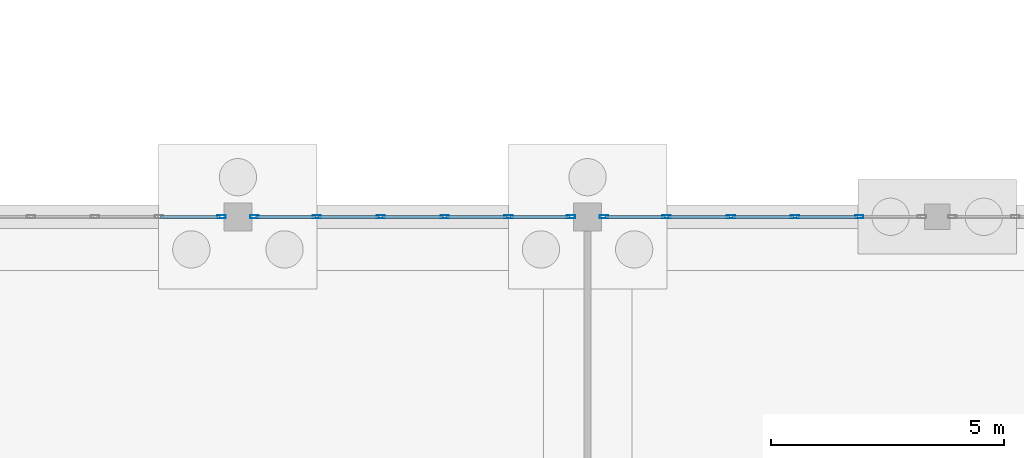
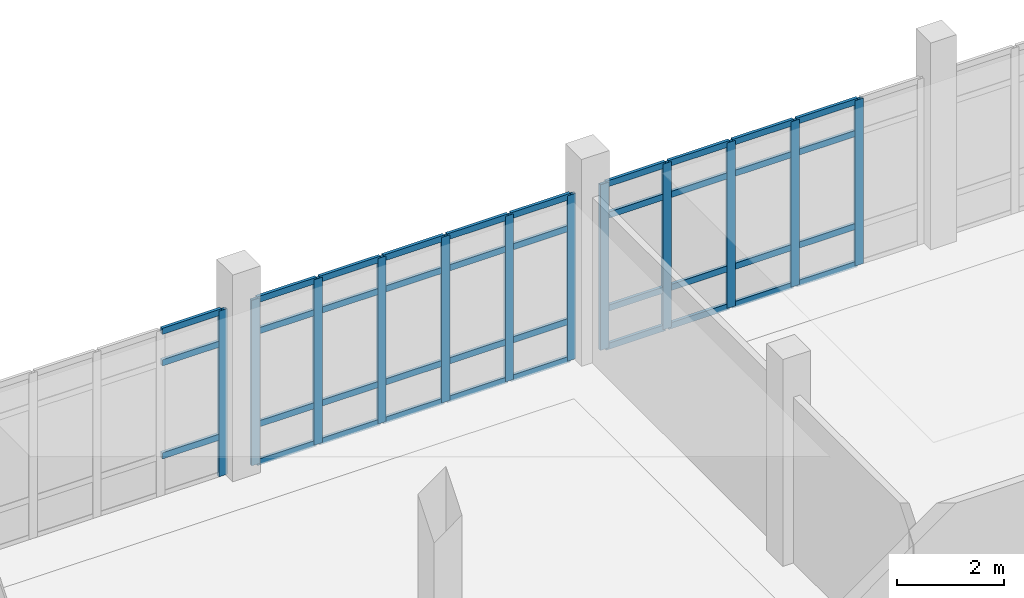
# One storey, part 57 of 173: 51 members, 3 elements without a shape of their own.
"""IFC4 building model written with IfcOpenShell, lengths in metres."""

from ifc_helpers import new_model, si_unit, direction, frame, origin, origin_2d, place, context, subcontext, project, spatial, hollow_rectangle, extrude, material, layer, layer_set, material_profile, profile_set, type_object, element, aggregate, save


model = new_model("IFC4")

# Units and contexts
model_context = context("Model", 3, precision=1e-05, world=origin(), true_north=direction((0.0, 1.0)))
body_context = subcontext(model_context, "Body", "Model", "MODEL_VIEW")
ifc_project = project(units=[si_unit("LENGTHUNIT", "METRE"), si_unit("AREAUNIT", "SQUARE_METRE"), si_unit("VOLUMEUNIT", "CUBIC_METRE"), si_unit("PLANEANGLEUNIT", "RADIAN"), si_unit("MASSUNIT", "GRAM", prefix="KILO")], contexts=[model_context])

# Site, building, storey
site_placement = place(None, origin())
site = spatial("IfcSite", under=ifc_project, at=site_placement, CompositionType="ELEMENT")
building_placement = place(site_placement, origin())
building = spatial("IfcBuilding", under=site, at=building_placement, Name="Mawjan Specialist Oncology Clinic", CompositionType="ELEMENT")
storey_placement = place(building_placement, origin())
storey = spatial("IfcBuildingStorey", under=building, at=storey_placement, Name="L00", CompositionType="ELEMENT", Elevation=0.0)

# Curtain wall, member
ifc_material_1 = material(Name="Unitised spectrally selective aluminium curtain wall", Category="aluminium")
ifc_layer_1 = layer(ifc_material_1, 0.179931640625, Name="Unitised spectrally selective aluminium curtain wall", Category="aluminium")
ifc_layer_set_1 = layer_set([ifc_layer_1], Name="Unitised spectrally selective aluminium curtain wall")
curtain_wall_type_1 = type_object("IfcCurtainWallType", Name="CW-05", PredefinedType="NOTDEFINED", material=ifc_layer_set_1)
curtain_wall_1_placement = place(storey_placement, origin())
curtain_wall_1 = element("IfcCurtainWall", 1, at=curtain_wall_1_placement, inside=storey, type_object=curtain_wall_type_1, Name="L00 Unitised Curtain Wall CW-L00-009", PredefinedType="NOTDEFINED")
ifc_material_2 = material(Name="Thermally broken aluminium 6063-T6", Category="aluminium")
ifc_material_profile_1 = material_profile(ifc_material_2, hollow_rectangle(XDim=0.06494140625, YDim=0.179931640625, WallThickness=0.00390625, at=origin_2d()), Name="ALU MULLION 180x65x4", Category="aluminium")
ifc_profile_set_1 = profile_set([ifc_material_profile_1], Name="Thermally broken aluminium 6063-T6")
member_type_1 = type_object("IfcMemberType", Name="CW-M180", PredefinedType="MULLION", material=ifc_profile_set_1)
member_1_placement = place(storey_placement, frame((7.1474609375, 75.800048828125, 0.0), z_axis=(0.0, 0.0, 1.0), x_axis=(0.0, 1.0, 0.0)))
member_1 = element("IfcMember", 2, at=member_1_placement, type_object=member_type_1, Name="CW-05 mullion 6", PredefinedType="MULLION", context=body_context, shape_type="SweptSolid", body=[
    extrude(hollow_rectangle(XDim=0.06494140625, YDim=0.179931640625, WallThickness=0.00390625, at=origin_2d()), origin(), (0.0, 0.0, 1.0), 3.764892578125),
])

# Curtain wall, members
curtain_wall_2_placement = place(storey_placement, origin())
curtain_wall_2 = element("IfcCurtainWall", 3, at=curtain_wall_2_placement, inside=storey, type_object=curtain_wall_type_1, Name="L00 Unitised Curtain Wall CW-L00-010", PredefinedType="NOTDEFINED")
member_2_placement = place(storey_placement, frame((7.8525390625, 75.800048828125, 0.0), z_axis=(0.0, 0.0, 1.0), x_axis=(0.0, 1.0, 0.0)))
member_2 = element("IfcMember", 4, at=member_2_placement, type_object=member_type_1, Name="CW-05 mullion 1", PredefinedType="MULLION", context=body_context, shape_type="SweptSolid", body=[
    extrude(hollow_rectangle(XDim=0.06494140625, YDim=0.179931640625, WallThickness=0.00390625, at=origin_2d()), origin(), (0.0, 0.0, 1.0), 3.764892578125),
])
member_3_placement = place(storey_placement, frame((9.19189453125, 75.800048828125, 0.0), z_axis=(0.0, 0.0, 1.0), x_axis=(0.0, 1.0, 0.0)))
member_3 = element("IfcMember", 5, at=member_3_placement, type_object=member_type_1, Name="CW-05 mullion 2", PredefinedType="MULLION", context=body_context, shape_type="SweptSolid", body=[
    extrude(hollow_rectangle(XDim=0.06494140625, YDim=0.179931640625, WallThickness=0.00390625, at=origin_2d()), origin(), (0.0, 0.0, 1.0), 3.764892578125),
])
member_4_placement = place(storey_placement, frame((10.56396484375, 75.800048828125, 0.0), z_axis=(0.0, 0.0, 1.0), x_axis=(0.0, 1.0, 0.0)))
member_4 = element("IfcMember", 6, at=member_4_placement, type_object=member_type_1, Name="CW-05 mullion 3", PredefinedType="MULLION", context=body_context, shape_type="SweptSolid", body=[
    extrude(hollow_rectangle(XDim=0.06494140625, YDim=0.179931640625, WallThickness=0.00390625, at=origin_2d()), origin(), (0.0, 0.0, 1.0), 3.764892578125),
])
member_5_placement = place(storey_placement, frame((11.93603515625, 75.800048828125, 0.0), z_axis=(0.0, 0.0, 1.0), x_axis=(0.0, 1.0, 0.0)))
member_5 = element("IfcMember", 7, at=member_5_placement, type_object=member_type_1, Name="CW-05 mullion 4", PredefinedType="MULLION", context=body_context, shape_type="SweptSolid", body=[
    extrude(hollow_rectangle(XDim=0.06494140625, YDim=0.179931640625, WallThickness=0.00390625, at=origin_2d()), origin(), (0.0, 0.0, 1.0), 3.764892578125),
])
member_6_placement = place(storey_placement, frame((13.30810546875, 75.800048828125, 0.0), z_axis=(0.0, 0.0, 1.0), x_axis=(0.0, 1.0, 0.0)))
member_6 = element("IfcMember", 8, at=member_6_placement, type_object=member_type_1, Name="CW-05 mullion 5", PredefinedType="MULLION", context=body_context, shape_type="SweptSolid", body=[
    extrude(hollow_rectangle(XDim=0.06494140625, YDim=0.179931640625, WallThickness=0.00390625, at=origin_2d()), origin(), (0.0, 0.0, 1.0), 3.764892578125),
])
member_7_placement = place(storey_placement, frame((14.6474609375, 75.800048828125, 0.0), z_axis=(0.0, 0.0, 1.0), x_axis=(0.0, 1.0, 0.0)))
member_7 = element("IfcMember", 9, at=member_7_placement, type_object=member_type_1, Name="CW-05 mullion 6", PredefinedType="MULLION", context=body_context, shape_type="SweptSolid", body=[
    extrude(hollow_rectangle(XDim=0.06494140625, YDim=0.179931640625, WallThickness=0.00390625, at=origin_2d()), origin(), (0.0, 0.0, 1.0), 3.764892578125),
])

ifc_material_3 = material(Name="Unitised spectrally selective aluminium curtain wall", Category="aluminium")
ifc_layer_2 = layer(ifc_material_3, 0.179931640625, Name="Unitised spectrally selective aluminium curtain wall", Category="aluminium")
ifc_layer_set_2 = layer_set([ifc_layer_2], Name="Unitised spectrally selective aluminium curtain wall")
curtain_wall_type_2 = type_object("IfcCurtainWallType", Name="CW-06", PredefinedType="NOTDEFINED", material=ifc_layer_set_2)
curtain_wall_3_placement = place(storey_placement, origin())
curtain_wall_3 = element("IfcCurtainWall", 10, at=curtain_wall_3_placement, inside=storey, type_object=curtain_wall_type_2, Name="L00 Unitised Curtain Wall CW-L00-011", PredefinedType="NOTDEFINED")
member_8_placement = place(storey_placement, frame((15.3525390625, 75.800048828125, 0.0), z_axis=(0.0, 0.0, 1.0), x_axis=(0.0, 1.0, 0.0)))
member_8 = element("IfcMember", 11, at=member_8_placement, type_object=member_type_1, Name="CW-06 mullion 1", PredefinedType="MULLION", context=body_context, shape_type="SweptSolid", body=[
    extrude(hollow_rectangle(XDim=0.06494140625, YDim=0.179931640625, WallThickness=0.00390625, at=origin_2d()), origin(), (0.0, 0.0, 1.0), 3.764892578125),
])
member_9_placement = place(storey_placement, frame((16.697021484375, 75.800048828125, 0.0), z_axis=(0.0, 0.0, 1.0), x_axis=(0.0, 1.0, 0.0)))
member_9 = element("IfcMember", 12, at=member_9_placement, type_object=member_type_1, Name="CW-06 mullion 2", PredefinedType="MULLION", context=body_context, shape_type="SweptSolid", body=[
    extrude(hollow_rectangle(XDim=0.06494140625, YDim=0.179931640625, WallThickness=0.00390625, at=origin_2d()), origin(), (0.0, 0.0, 1.0), 3.764892578125),
])
member_10_placement = place(storey_placement, frame((18.073974609375, 75.800048828125, 0.0), z_axis=(0.0, 0.0, 1.0), x_axis=(0.0, 1.0, 0.0)))
member_10 = element("IfcMember", 13, at=member_10_placement, type_object=member_type_1, Name="CW-06 mullion 3", PredefinedType="MULLION", context=body_context, shape_type="SweptSolid", body=[
    extrude(hollow_rectangle(XDim=0.06494140625, YDim=0.179931640625, WallThickness=0.00390625, at=origin_2d()), origin(), (0.0, 0.0, 1.0), 3.764892578125),
])
member_11_placement = place(storey_placement, frame((19.450927734375, 75.800048828125, 0.0), z_axis=(0.0, 0.0, 1.0), x_axis=(0.0, 1.0, 0.0)))
member_11 = element("IfcMember", 14, at=member_11_placement, type_object=member_type_1, Name="CW-06 mullion 4", PredefinedType="MULLION", context=body_context, shape_type="SweptSolid", body=[
    extrude(hollow_rectangle(XDim=0.06494140625, YDim=0.179931640625, WallThickness=0.00390625, at=origin_2d()), origin(), (0.0, 0.0, 1.0), 3.764892578125),
])
member_12_placement = place(storey_placement, frame((20.827880859375, 75.800048828125, 0.0), z_axis=(0.0, 0.0, 1.0), x_axis=(0.0, 1.0, 0.0)))
member_12 = element("IfcMember", 15, at=member_12_placement, type_object=member_type_1, Name="CW-06 mullion 5", PredefinedType="MULLION", context=body_context, shape_type="SweptSolid", body=[
    extrude(hollow_rectangle(XDim=0.06494140625, YDim=0.179931640625, WallThickness=0.00390625, at=origin_2d()), origin(), (0.0, 0.0, 1.0), 3.764892578125),
])

# Member
ifc_material_4 = material(Name="Thermally broken aluminium 6063-T6", Category="aluminium")
ifc_material_profile_2 = material_profile(ifc_material_4, hollow_rectangle(XDim=0.06494140625, YDim=0.139892578125, WallThickness=0.00390625, at=origin_2d()), Name="ALU TRANSOM 140x65x4", Category="aluminium")
ifc_profile_set_2 = profile_set([ifc_material_profile_2], Name="Thermally broken aluminium 6063-T6")
member_type_2 = type_object("IfcMemberType", Name="CW-T140", PredefinedType="USERDEFINED", material=ifc_profile_set_2)
member_13_placement = place(storey_placement, frame((5.840576171875, 75.800048828125, 0.89990234375), z_axis=(1.0, 0.0, 0.0), x_axis=(0.0, 1.0, 0.0)))
member_13 = element("IfcMember", 16, at=member_13_placement, type_object=member_type_2, Name="CW-05 transom 5.2", ObjectType="TRANSOM", PredefinedType="USERDEFINED", context=body_context, shape_type="SweptSolid", body=[
    extrude(hollow_rectangle(XDim=0.06494140625, YDim=0.139892578125, WallThickness=0.00390625, at=origin_2d()), origin(), (0.0, 0.0, 1.0), 1.2744140625),
])

member_14_placement = place(storey_placement, frame((5.840576171875, 75.800048828125, 3.014892578125), z_axis=(1.0, 0.0, 0.0), x_axis=(0.0, 1.0, 0.0)))
member_14 = element("IfcMember", 17, at=member_14_placement, type_object=member_type_2, Name="CW-05 transom 5.3", ObjectType="TRANSOM", PredefinedType="USERDEFINED", context=body_context, shape_type="SweptSolid", body=[
    extrude(hollow_rectangle(XDim=0.06494140625, YDim=0.139892578125, WallThickness=0.00390625, at=origin_2d()), origin(), (0.0, 0.0, 1.0), 1.2744140625),
])

member_15_placement = place(storey_placement, frame((5.840576171875, 75.800048828125, 3.732421875), z_axis=(1.0, 0.0, 0.0), x_axis=(0.0, 1.0, 0.0)))
member_15 = element("IfcMember", 18, at=member_15_placement, type_object=member_type_2, Name="CW-05 transom 5.4", ObjectType="TRANSOM", PredefinedType="USERDEFINED", context=body_context, shape_type="SweptSolid", body=[
    extrude(hollow_rectangle(XDim=0.06494140625, YDim=0.139892578125, WallThickness=0.00390625, at=origin_2d()), origin(), (0.0, 0.0, 1.0), 1.2744140625),
])

aggregate(curtain_wall_1, [member_1, member_13, member_14, member_15])

member_16_placement = place(storey_placement, frame((7.885009765625, 75.800048828125, 0.032470703125), z_axis=(1.0, 0.0, 0.0), x_axis=(0.0, 1.0, 0.0)))
member_16 = element("IfcMember", 19, at=member_16_placement, type_object=member_type_2, Name="CW-05 transom 1.1", ObjectType="TRANSOM", PredefinedType="USERDEFINED", context=body_context, shape_type="SweptSolid", body=[
    extrude(hollow_rectangle(XDim=0.06494140625, YDim=0.139892578125, WallThickness=0.00390625, at=origin_2d()), origin(), (0.0, 0.0, 1.0), 1.2744140625),
])

member_17_placement = place(storey_placement, frame((7.885009765625, 75.800048828125, 0.89990234375), z_axis=(1.0, 0.0, 0.0), x_axis=(0.0, 1.0, 0.0)))
member_17 = element("IfcMember", 20, at=member_17_placement, type_object=member_type_2, Name="CW-05 transom 1.2", ObjectType="TRANSOM", PredefinedType="USERDEFINED", context=body_context, shape_type="SweptSolid", body=[
    extrude(hollow_rectangle(XDim=0.06494140625, YDim=0.139892578125, WallThickness=0.00390625, at=origin_2d()), origin(), (0.0, 0.0, 1.0), 1.2744140625),
])

member_18_placement = place(storey_placement, frame((7.885009765625, 75.800048828125, 3.014892578125), z_axis=(1.0, 0.0, 0.0), x_axis=(0.0, 1.0, 0.0)))
member_18 = element("IfcMember", 21, at=member_18_placement, type_object=member_type_2, Name="CW-05 transom 1.3", ObjectType="TRANSOM", PredefinedType="USERDEFINED", context=body_context, shape_type="SweptSolid", body=[
    extrude(hollow_rectangle(XDim=0.06494140625, YDim=0.139892578125, WallThickness=0.00390625, at=origin_2d()), origin(), (0.0, 0.0, 1.0), 1.2744140625),
])

member_19_placement = place(storey_placement, frame((7.885009765625, 75.800048828125, 3.732421875), z_axis=(1.0, 0.0, 0.0), x_axis=(0.0, 1.0, 0.0)))
member_19 = element("IfcMember", 22, at=member_19_placement, type_object=member_type_2, Name="CW-05 transom 1.4", ObjectType="TRANSOM", PredefinedType="USERDEFINED", context=body_context, shape_type="SweptSolid", body=[
    extrude(hollow_rectangle(XDim=0.06494140625, YDim=0.139892578125, WallThickness=0.00390625, at=origin_2d()), origin(), (0.0, 0.0, 1.0), 1.2744140625),
])

member_20_placement = place(storey_placement, frame((9.224609375, 75.800048828125, 0.032470703125), z_axis=(1.0, 0.0, 0.0), x_axis=(0.0, 1.0, 0.0)))
member_20 = element("IfcMember", 23, at=member_20_placement, type_object=member_type_2, Name="CW-05 transom 2.1", ObjectType="TRANSOM", PredefinedType="USERDEFINED", context=body_context, shape_type="SweptSolid", body=[
    extrude(hollow_rectangle(XDim=0.06494140625, YDim=0.139892578125, WallThickness=0.00390625, at=origin_2d()), origin(), (0.0, 0.0, 1.0), 1.306884765625),
])

member_21_placement = place(storey_placement, frame((9.224609375, 75.800048828125, 0.89990234375), z_axis=(1.0, 0.0, 0.0), x_axis=(0.0, 1.0, 0.0)))
member_21 = element("IfcMember", 24, at=member_21_placement, type_object=member_type_2, Name="CW-05 transom 2.2", ObjectType="TRANSOM", PredefinedType="USERDEFINED", context=body_context, shape_type="SweptSolid", body=[
    extrude(hollow_rectangle(XDim=0.06494140625, YDim=0.139892578125, WallThickness=0.00390625, at=origin_2d()), origin(), (0.0, 0.0, 1.0), 1.306884765625),
])

member_22_placement = place(storey_placement, frame((9.224609375, 75.800048828125, 3.014892578125), z_axis=(1.0, 0.0, 0.0), x_axis=(0.0, 1.0, 0.0)))
member_22 = element("IfcMember", 25, at=member_22_placement, type_object=member_type_2, Name="CW-05 transom 2.3", ObjectType="TRANSOM", PredefinedType="USERDEFINED", context=body_context, shape_type="SweptSolid", body=[
    extrude(hollow_rectangle(XDim=0.06494140625, YDim=0.139892578125, WallThickness=0.00390625, at=origin_2d()), origin(), (0.0, 0.0, 1.0), 1.306884765625),
])

member_23_placement = place(storey_placement, frame((9.224609375, 75.800048828125, 3.732421875), z_axis=(1.0, 0.0, 0.0), x_axis=(0.0, 1.0, 0.0)))
member_23 = element("IfcMember", 26, at=member_23_placement, type_object=member_type_2, Name="CW-05 transom 2.4", ObjectType="TRANSOM", PredefinedType="USERDEFINED", context=body_context, shape_type="SweptSolid", body=[
    extrude(hollow_rectangle(XDim=0.06494140625, YDim=0.139892578125, WallThickness=0.00390625, at=origin_2d()), origin(), (0.0, 0.0, 1.0), 1.306884765625),
])

member_24_placement = place(storey_placement, frame((10.596435546875, 75.800048828125, 0.032470703125), z_axis=(1.0, 0.0, 0.0), x_axis=(0.0, 1.0, 0.0)))
member_24 = element("IfcMember", 27, at=member_24_placement, type_object=member_type_2, Name="CW-05 transom 3.1", ObjectType="TRANSOM", PredefinedType="USERDEFINED", context=body_context, shape_type="SweptSolid", body=[
    extrude(hollow_rectangle(XDim=0.06494140625, YDim=0.139892578125, WallThickness=0.00390625, at=origin_2d()), origin(), (0.0, 0.0, 1.0), 1.30712890625),
])

member_25_placement = place(storey_placement, frame((10.596435546875, 75.800048828125, 0.89990234375), z_axis=(1.0, 0.0, 0.0), x_axis=(0.0, 1.0, 0.0)))
member_25 = element("IfcMember", 28, at=member_25_placement, type_object=member_type_2, Name="CW-05 transom 3.2", ObjectType="TRANSOM", PredefinedType="USERDEFINED", context=body_context, shape_type="SweptSolid", body=[
    extrude(hollow_rectangle(XDim=0.06494140625, YDim=0.139892578125, WallThickness=0.00390625, at=origin_2d()), origin(), (0.0, 0.0, 1.0), 1.30712890625),
])

member_26_placement = place(storey_placement, frame((10.596435546875, 75.800048828125, 3.014892578125), z_axis=(1.0, 0.0, 0.0), x_axis=(0.0, 1.0, 0.0)))
member_26 = element("IfcMember", 29, at=member_26_placement, type_object=member_type_2, Name="CW-05 transom 3.3", ObjectType="TRANSOM", PredefinedType="USERDEFINED", context=body_context, shape_type="SweptSolid", body=[
    extrude(hollow_rectangle(XDim=0.06494140625, YDim=0.139892578125, WallThickness=0.00390625, at=origin_2d()), origin(), (0.0, 0.0, 1.0), 1.30712890625),
])

member_27_placement = place(storey_placement, frame((10.596435546875, 75.800048828125, 3.732421875), z_axis=(1.0, 0.0, 0.0), x_axis=(0.0, 1.0, 0.0)))
member_27 = element("IfcMember", 30, at=member_27_placement, type_object=member_type_2, Name="CW-05 transom 3.4", ObjectType="TRANSOM", PredefinedType="USERDEFINED", context=body_context, shape_type="SweptSolid", body=[
    extrude(hollow_rectangle(XDim=0.06494140625, YDim=0.139892578125, WallThickness=0.00390625, at=origin_2d()), origin(), (0.0, 0.0, 1.0), 1.30712890625),
])

member_28_placement = place(storey_placement, frame((11.968505859375, 75.800048828125, 0.032470703125), z_axis=(1.0, 0.0, 0.0), x_axis=(0.0, 1.0, 0.0)))
member_28 = element("IfcMember", 31, at=member_28_placement, type_object=member_type_2, Name="CW-05 transom 4.1", ObjectType="TRANSOM", PredefinedType="USERDEFINED", context=body_context, shape_type="SweptSolid", body=[
    extrude(hollow_rectangle(XDim=0.06494140625, YDim=0.139892578125, WallThickness=0.00390625, at=origin_2d()), origin(), (0.0, 0.0, 1.0), 1.306884765625),
])

member_29_placement = place(storey_placement, frame((11.968505859375, 75.800048828125, 0.89990234375), z_axis=(1.0, 0.0, 0.0), x_axis=(0.0, 1.0, 0.0)))
member_29 = element("IfcMember", 32, at=member_29_placement, type_object=member_type_2, Name="CW-05 transom 4.2", ObjectType="TRANSOM", PredefinedType="USERDEFINED", context=body_context, shape_type="SweptSolid", body=[
    extrude(hollow_rectangle(XDim=0.06494140625, YDim=0.139892578125, WallThickness=0.00390625, at=origin_2d()), origin(), (0.0, 0.0, 1.0), 1.306884765625),
])

member_30_placement = place(storey_placement, frame((11.968505859375, 75.800048828125, 3.014892578125), z_axis=(1.0, 0.0, 0.0), x_axis=(0.0, 1.0, 0.0)))
member_30 = element("IfcMember", 33, at=member_30_placement, type_object=member_type_2, Name="CW-05 transom 4.3", ObjectType="TRANSOM", PredefinedType="USERDEFINED", context=body_context, shape_type="SweptSolid", body=[
    extrude(hollow_rectangle(XDim=0.06494140625, YDim=0.139892578125, WallThickness=0.00390625, at=origin_2d()), origin(), (0.0, 0.0, 1.0), 1.306884765625),
])

member_31_placement = place(storey_placement, frame((11.968505859375, 75.800048828125, 3.732421875), z_axis=(1.0, 0.0, 0.0), x_axis=(0.0, 1.0, 0.0)))
member_31 = element("IfcMember", 34, at=member_31_placement, type_object=member_type_2, Name="CW-05 transom 4.4", ObjectType="TRANSOM", PredefinedType="USERDEFINED", context=body_context, shape_type="SweptSolid", body=[
    extrude(hollow_rectangle(XDim=0.06494140625, YDim=0.139892578125, WallThickness=0.00390625, at=origin_2d()), origin(), (0.0, 0.0, 1.0), 1.306884765625),
])

member_32_placement = place(storey_placement, frame((13.340576171875, 75.800048828125, 0.032470703125), z_axis=(1.0, 0.0, 0.0), x_axis=(0.0, 1.0, 0.0)))
member_32 = element("IfcMember", 35, at=member_32_placement, type_object=member_type_2, Name="CW-05 transom 5.1", ObjectType="TRANSOM", PredefinedType="USERDEFINED", context=body_context, shape_type="SweptSolid", body=[
    extrude(hollow_rectangle(XDim=0.06494140625, YDim=0.139892578125, WallThickness=0.00390625, at=origin_2d()), origin(), (0.0, 0.0, 1.0), 1.2744140625),
])

member_33_placement = place(storey_placement, frame((13.340576171875, 75.800048828125, 0.89990234375), z_axis=(1.0, 0.0, 0.0), x_axis=(0.0, 1.0, 0.0)))
member_33 = element("IfcMember", 36, at=member_33_placement, type_object=member_type_2, Name="CW-05 transom 5.2", ObjectType="TRANSOM", PredefinedType="USERDEFINED", context=body_context, shape_type="SweptSolid", body=[
    extrude(hollow_rectangle(XDim=0.06494140625, YDim=0.139892578125, WallThickness=0.00390625, at=origin_2d()), origin(), (0.0, 0.0, 1.0), 1.2744140625),
])

member_34_placement = place(storey_placement, frame((13.340576171875, 75.800048828125, 3.014892578125), z_axis=(1.0, 0.0, 0.0), x_axis=(0.0, 1.0, 0.0)))
member_34 = element("IfcMember", 37, at=member_34_placement, type_object=member_type_2, Name="CW-05 transom 5.3", ObjectType="TRANSOM", PredefinedType="USERDEFINED", context=body_context, shape_type="SweptSolid", body=[
    extrude(hollow_rectangle(XDim=0.06494140625, YDim=0.139892578125, WallThickness=0.00390625, at=origin_2d()), origin(), (0.0, 0.0, 1.0), 1.2744140625),
])

member_35_placement = place(storey_placement, frame((13.340576171875, 75.800048828125, 3.732421875), z_axis=(1.0, 0.0, 0.0), x_axis=(0.0, 1.0, 0.0)))
member_35 = element("IfcMember", 38, at=member_35_placement, type_object=member_type_2, Name="CW-05 transom 5.4", ObjectType="TRANSOM", PredefinedType="USERDEFINED", context=body_context, shape_type="SweptSolid", body=[
    extrude(hollow_rectangle(XDim=0.06494140625, YDim=0.139892578125, WallThickness=0.00390625, at=origin_2d()), origin(), (0.0, 0.0, 1.0), 1.2744140625),
])

aggregate(curtain_wall_2, [member_2, member_3, member_4, member_5, member_6, member_7, member_16, member_17, member_18, member_19, member_20, member_21, member_22, member_23, member_24, member_25, member_26, member_27, member_28, member_29, member_30, member_31, member_32, member_33, member_34, member_35])

member_36_placement = place(storey_placement, frame((15.385009765625, 75.800048828125, 0.032470703125), z_axis=(1.0, 0.0, 0.0), x_axis=(0.0, 1.0, 0.0)))
member_36 = element("IfcMember", 39, at=member_36_placement, type_object=member_type_2, Name="CW-06 transom 1.1", ObjectType="TRANSOM", PredefinedType="USERDEFINED", context=body_context, shape_type="SweptSolid", body=[
    extrude(hollow_rectangle(XDim=0.06494140625, YDim=0.139892578125, WallThickness=0.00390625, at=origin_2d()), origin(), (0.0, 0.0, 1.0), 1.279541015625),
])

member_37_placement = place(storey_placement, frame((15.385009765625, 75.800048828125, 0.89990234375), z_axis=(1.0, 0.0, 0.0), x_axis=(0.0, 1.0, 0.0)))
member_37 = element("IfcMember", 40, at=member_37_placement, type_object=member_type_2, Name="CW-06 transom 1.2", ObjectType="TRANSOM", PredefinedType="USERDEFINED", context=body_context, shape_type="SweptSolid", body=[
    extrude(hollow_rectangle(XDim=0.06494140625, YDim=0.139892578125, WallThickness=0.00390625, at=origin_2d()), origin(), (0.0, 0.0, 1.0), 1.279541015625),
])

member_38_placement = place(storey_placement, frame((15.385009765625, 75.800048828125, 3.014892578125), z_axis=(1.0, 0.0, 0.0), x_axis=(0.0, 1.0, 0.0)))
member_38 = element("IfcMember", 41, at=member_38_placement, type_object=member_type_2, Name="CW-06 transom 1.3", ObjectType="TRANSOM", PredefinedType="USERDEFINED", context=body_context, shape_type="SweptSolid", body=[
    extrude(hollow_rectangle(XDim=0.06494140625, YDim=0.139892578125, WallThickness=0.00390625, at=origin_2d()), origin(), (0.0, 0.0, 1.0), 1.279541015625),
])

member_39_placement = place(storey_placement, frame((15.385009765625, 75.800048828125, 3.732421875), z_axis=(1.0, 0.0, 0.0), x_axis=(0.0, 1.0, 0.0)))
member_39 = element("IfcMember", 42, at=member_39_placement, type_object=member_type_2, Name="CW-06 transom 1.4", ObjectType="TRANSOM", PredefinedType="USERDEFINED", context=body_context, shape_type="SweptSolid", body=[
    extrude(hollow_rectangle(XDim=0.06494140625, YDim=0.139892578125, WallThickness=0.00390625, at=origin_2d()), origin(), (0.0, 0.0, 1.0), 1.279541015625),
])

member_40_placement = place(storey_placement, frame((16.7294921875, 75.800048828125, 0.032470703125), z_axis=(1.0, 0.0, 0.0), x_axis=(0.0, 1.0, 0.0)))
member_40 = element("IfcMember", 43, at=member_40_placement, type_object=member_type_2, Name="CW-06 transom 2.1", ObjectType="TRANSOM", PredefinedType="USERDEFINED", context=body_context, shape_type="SweptSolid", body=[
    extrude(hollow_rectangle(XDim=0.06494140625, YDim=0.139892578125, WallThickness=0.00390625, at=origin_2d()), origin(), (0.0, 0.0, 1.0), 1.31201171875),
])

member_41_placement = place(storey_placement, frame((16.7294921875, 75.800048828125, 0.89990234375), z_axis=(1.0, 0.0, 0.0), x_axis=(0.0, 1.0, 0.0)))
member_41 = element("IfcMember", 44, at=member_41_placement, type_object=member_type_2, Name="CW-06 transom 2.2", ObjectType="TRANSOM", PredefinedType="USERDEFINED", context=body_context, shape_type="SweptSolid", body=[
    extrude(hollow_rectangle(XDim=0.06494140625, YDim=0.139892578125, WallThickness=0.00390625, at=origin_2d()), origin(), (0.0, 0.0, 1.0), 1.31201171875),
])

member_42_placement = place(storey_placement, frame((16.7294921875, 75.800048828125, 3.014892578125), z_axis=(1.0, 0.0, 0.0), x_axis=(0.0, 1.0, 0.0)))
member_42 = element("IfcMember", 45, at=member_42_placement, type_object=member_type_2, Name="CW-06 transom 2.3", ObjectType="TRANSOM", PredefinedType="USERDEFINED", context=body_context, shape_type="SweptSolid", body=[
    extrude(hollow_rectangle(XDim=0.06494140625, YDim=0.139892578125, WallThickness=0.00390625, at=origin_2d()), origin(), (0.0, 0.0, 1.0), 1.31201171875),
])

member_43_placement = place(storey_placement, frame((16.7294921875, 75.800048828125, 3.732421875), z_axis=(1.0, 0.0, 0.0), x_axis=(0.0, 1.0, 0.0)))
member_43 = element("IfcMember", 46, at=member_43_placement, type_object=member_type_2, Name="CW-06 transom 2.4", ObjectType="TRANSOM", PredefinedType="USERDEFINED", context=body_context, shape_type="SweptSolid", body=[
    extrude(hollow_rectangle(XDim=0.06494140625, YDim=0.139892578125, WallThickness=0.00390625, at=origin_2d()), origin(), (0.0, 0.0, 1.0), 1.31201171875),
])

member_44_placement = place(storey_placement, frame((18.1064453125, 75.800048828125, 0.032470703125), z_axis=(1.0, 0.0, 0.0), x_axis=(0.0, 1.0, 0.0)))
member_44 = element("IfcMember", 47, at=member_44_placement, type_object=member_type_2, Name="CW-06 transom 3.1", ObjectType="TRANSOM", PredefinedType="USERDEFINED", context=body_context, shape_type="SweptSolid", body=[
    extrude(hollow_rectangle(XDim=0.06494140625, YDim=0.139892578125, WallThickness=0.00390625, at=origin_2d()), origin(), (0.0, 0.0, 1.0), 1.31201171875),
])

member_45_placement = place(storey_placement, frame((18.1064453125, 75.800048828125, 0.89990234375), z_axis=(1.0, 0.0, 0.0), x_axis=(0.0, 1.0, 0.0)))
member_45 = element("IfcMember", 48, at=member_45_placement, type_object=member_type_2, Name="CW-06 transom 3.2", ObjectType="TRANSOM", PredefinedType="USERDEFINED", context=body_context, shape_type="SweptSolid", body=[
    extrude(hollow_rectangle(XDim=0.06494140625, YDim=0.139892578125, WallThickness=0.00390625, at=origin_2d()), origin(), (0.0, 0.0, 1.0), 1.31201171875),
])

member_46_placement = place(storey_placement, frame((18.1064453125, 75.800048828125, 3.014892578125), z_axis=(1.0, 0.0, 0.0), x_axis=(0.0, 1.0, 0.0)))
member_46 = element("IfcMember", 49, at=member_46_placement, type_object=member_type_2, Name="CW-06 transom 3.3", ObjectType="TRANSOM", PredefinedType="USERDEFINED", context=body_context, shape_type="SweptSolid", body=[
    extrude(hollow_rectangle(XDim=0.06494140625, YDim=0.139892578125, WallThickness=0.00390625, at=origin_2d()), origin(), (0.0, 0.0, 1.0), 1.31201171875),
])

member_47_placement = place(storey_placement, frame((18.1064453125, 75.800048828125, 3.732421875), z_axis=(1.0, 0.0, 0.0), x_axis=(0.0, 1.0, 0.0)))
member_47 = element("IfcMember", 50, at=member_47_placement, type_object=member_type_2, Name="CW-06 transom 3.4", ObjectType="TRANSOM", PredefinedType="USERDEFINED", context=body_context, shape_type="SweptSolid", body=[
    extrude(hollow_rectangle(XDim=0.06494140625, YDim=0.139892578125, WallThickness=0.00390625, at=origin_2d()), origin(), (0.0, 0.0, 1.0), 1.31201171875),
])

member_48_placement = place(storey_placement, frame((19.4833984375, 75.800048828125, 0.032470703125), z_axis=(1.0, 0.0, 0.0), x_axis=(0.0, 1.0, 0.0)))
member_48 = element("IfcMember", 51, at=member_48_placement, type_object=member_type_2, Name="CW-06 transom 4.1", ObjectType="TRANSOM", PredefinedType="USERDEFINED", context=body_context, shape_type="SweptSolid", body=[
    extrude(hollow_rectangle(XDim=0.06494140625, YDim=0.139892578125, WallThickness=0.00390625, at=origin_2d()), origin(), (0.0, 0.0, 1.0), 1.31201171875),
])

member_49_placement = place(storey_placement, frame((19.4833984375, 75.800048828125, 0.89990234375), z_axis=(1.0, 0.0, 0.0), x_axis=(0.0, 1.0, 0.0)))
member_49 = element("IfcMember", 52, at=member_49_placement, type_object=member_type_2, Name="CW-06 transom 4.2", ObjectType="TRANSOM", PredefinedType="USERDEFINED", context=body_context, shape_type="SweptSolid", body=[
    extrude(hollow_rectangle(XDim=0.06494140625, YDim=0.139892578125, WallThickness=0.00390625, at=origin_2d()), origin(), (0.0, 0.0, 1.0), 1.31201171875),
])

member_50_placement = place(storey_placement, frame((19.4833984375, 75.800048828125, 3.014892578125), z_axis=(1.0, 0.0, 0.0), x_axis=(0.0, 1.0, 0.0)))
member_50 = element("IfcMember", 53, at=member_50_placement, type_object=member_type_2, Name="CW-06 transom 4.3", ObjectType="TRANSOM", PredefinedType="USERDEFINED", context=body_context, shape_type="SweptSolid", body=[
    extrude(hollow_rectangle(XDim=0.06494140625, YDim=0.139892578125, WallThickness=0.00390625, at=origin_2d()), origin(), (0.0, 0.0, 1.0), 1.31201171875),
])

member_51_placement = place(storey_placement, frame((19.4833984375, 75.800048828125, 3.732421875), z_axis=(1.0, 0.0, 0.0), x_axis=(0.0, 1.0, 0.0)))
member_51 = element("IfcMember", 54, at=member_51_placement, type_object=member_type_2, Name="CW-06 transom 4.4", ObjectType="TRANSOM", PredefinedType="USERDEFINED", context=body_context, shape_type="SweptSolid", body=[
    extrude(hollow_rectangle(XDim=0.06494140625, YDim=0.139892578125, WallThickness=0.00390625, at=origin_2d()), origin(), (0.0, 0.0, 1.0), 1.31201171875),
])

aggregate(curtain_wall_3, [member_8, member_9, member_10, member_11, member_12, member_36, member_37, member_38, member_39, member_40, member_41, member_42, member_43, member_44, member_45, member_46, member_47, member_48, member_49, member_50, member_51])

save(model, "model.ifc")
